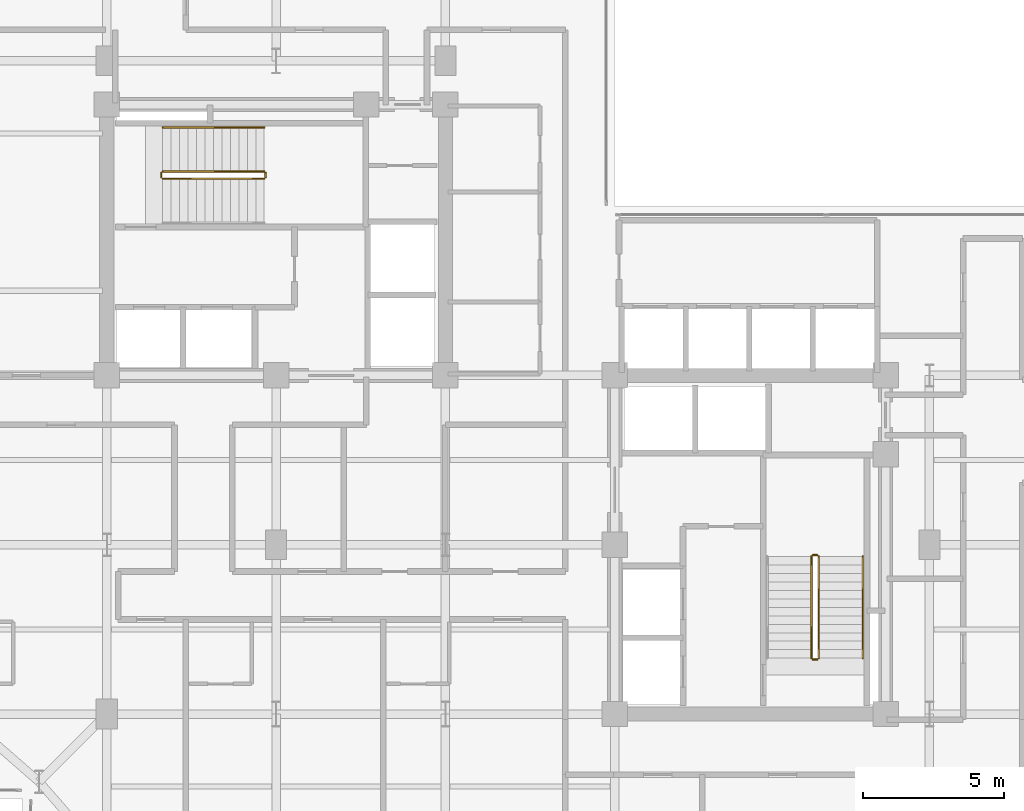
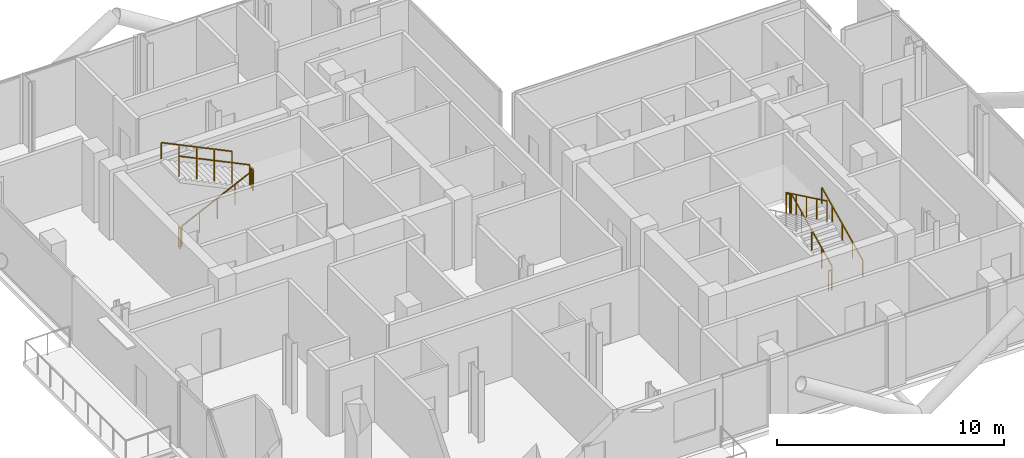
# One storey, part 22 of 22: 10 railings.
"""IFC4 building model written with IfcOpenShell, lengths in metres."""

from ifc_helpers import new_model, si_unit, direction, frame, origin, origin_2d, place, context, subcontext, project, spatial, rectangle, extrude, material, type_object, element, save


model = new_model("IFC4")

# Units and contexts
model_context = context("Model", 3, precision=1e-05, world=origin(), true_north=direction((0.0, 1.0)))
body_context = subcontext(model_context, "Body", "Model", "MODEL_VIEW")
ifc_project = project(units=[si_unit("LENGTHUNIT", "METRE"), si_unit("AREAUNIT", "SQUARE_METRE"), si_unit("VOLUMEUNIT", "CUBIC_METRE"), si_unit("PLANEANGLEUNIT", "RADIAN"), si_unit("MASSUNIT", "GRAM", prefix="KILO"), si_unit("THERMODYNAMICTEMPERATUREUNIT", "KELVIN"), si_unit("POWERUNIT", "WATT")], contexts=[model_context])

# Site, building, storey
site_placement = place(None, origin())
site = spatial("IfcSite", under=ifc_project, at=site_placement, CompositionType="ELEMENT")
building_placement = place(site_placement, origin())
building = spatial("IfcBuilding", under=site, at=building_placement, Name="Svarakhadi Broadcast Tower", CompositionType="ELEMENT")
storey_placement = place(building_placement, frame((0.0, 0.0, 172.949951171875)))
storey = spatial("IfcBuildingStorey", under=building, at=storey_placement, Name="L42", CompositionType="ELEMENT", Elevation=172.949951171875)

# Railings
ifc_material = material(Name="Anodised Bronze Aluminium AA 6063-T6", Category="aluminium")
railing_type_1 = type_object("IfcRailingType", Name="Guard_Stair_GR01", PredefinedType="GUARDRAIL", material=ifc_material)
railing_1_placement = place(storey_placement, frame((7.97998046875, 24.969970703125, 0.144287109375)))
element("IfcRailing", 1, at=railing_1_placement, inside=storey, type_object=railing_type_1, Name="L42 ST-01 stair guard 1", PredefinedType="GUARDRAIL", context=body_context, shape_type="SweptSolid", body=[
    extrude(rectangle(XDim=0.048095703125, YDim=0.048095703125, at=origin_2d()), frame((0.0, 0.0, 1.09619140625), z_axis=(0.901262522062, 0.0, 0.433273431364), x_axis=(0.0, 1.0, 0.0)), (0.0, 0.0, 1.0), 3.994384765625),
    extrude(rectangle(XDim=0.0419921875, YDim=0.0419921875, at=origin_2d()), origin(), (0.0, 0.0, 1.0), 1.072021484375),
    extrude(rectangle(XDim=0.0419921875, YDim=0.0419921875, at=origin_2d()), frame((0.89990234375, 0.0, 0.4326171875)), (0.0, 0.0, 1.0), 1.072021484375),
    extrude(rectangle(XDim=0.0419921875, YDim=0.0419921875, at=origin_2d()), frame((1.800048828125, 0.0, 0.865234375)), (0.0, 0.0, 1.0), 1.072021484375),
    extrude(rectangle(XDim=0.0419921875, YDim=0.0419921875, at=origin_2d()), frame((2.7001953125, 0.0, 1.298095703125)), (0.0, 0.0, 1.0), 1.072021484375),
    extrude(rectangle(XDim=0.0419921875, YDim=0.0419921875, at=origin_2d()), frame((3.60009765625, 0.0, 1.730712890625)), (0.0, 0.0, 1.0), 1.072021484375),
])
railing_2_placement = place(storey_placement, frame((11.6298828125, 25.02001953125, 1.875)))
element("IfcRailing", 2, at=railing_2_placement, inside=storey, type_object=railing_type_1, Name="L42 ST-01 stair guard 2", PredefinedType="GUARDRAIL", context=body_context, shape_type="SweptSolid", body=[
    extrude(rectangle(XDim=0.048095703125, YDim=0.048095703125, at=origin_2d()), frame((0.0, 0.0, 1.09619140625), z_axis=(0.0, 1.0, 0.0), x_axis=(-1.0, 0.0, 0.0)), (0.0, 0.0, 1.0), 0.159912109375),
    extrude(rectangle(XDim=0.0419921875, YDim=0.0419921875, at=origin_2d()), origin(), (0.0, 0.0, 1.0), 1.072021484375),
    extrude(rectangle(XDim=0.0419921875, YDim=0.0419921875, at=origin_2d()), frame((0.0, 0.159912109375, 0.0)), (0.0, 0.0, 1.0), 1.072021484375),
])
railing_3_placement = place(storey_placement, frame((11.580078125, 25.22998046875, 2.019287109375)))
element("IfcRailing", 3, at=railing_3_placement, inside=storey, type_object=railing_type_1, Name="L42 ST-01 stair guard 3", PredefinedType="GUARDRAIL", context=body_context, shape_type="SweptSolid", body=[
    extrude(rectangle(XDim=0.048095703125, YDim=0.048095703125, at=origin_2d()), frame((0.0, 0.0, 1.09619140625), z_axis=(-0.901262522062, 0.0, 0.433273431364), x_axis=(0.0, -1.0, 0.0)), (0.0, 0.0, 1.0), 3.994384765625),
    extrude(rectangle(XDim=0.0419921875, YDim=0.0419921875, at=origin_2d()), origin(), (0.0, 0.0, 1.0), 1.072021484375),
    extrude(rectangle(XDim=0.0419921875, YDim=0.0419921875, at=origin_2d()), frame((-0.89990234375, 0.0, 0.4326171875)), (0.0, 0.0, 1.0), 1.072021484375),
    extrude(rectangle(XDim=0.0419921875, YDim=0.0419921875, at=origin_2d()), frame((-1.800048828125, 0.0, 0.865234375)), (0.0, 0.0, 1.0), 1.072021484375),
    extrude(rectangle(XDim=0.0419921875, YDim=0.0419921875, at=origin_2d()), frame((-2.7001953125, 0.0, 1.298095703125)), (0.0, 0.0, 1.0), 1.072021484375),
    extrude(rectangle(XDim=0.0419921875, YDim=0.0419921875, at=origin_2d()), frame((-3.60009765625, 0.0, 1.730712890625)), (0.0, 0.0, 1.0), 1.072021484375),
])
railing_4_placement = place(storey_placement, frame((7.929931640625, 25.02001953125, 0.0)))
element("IfcRailing", 4, at=railing_4_placement, inside=storey, type_object=railing_type_1, Name="L42 ST-01 stair guard 4", PredefinedType="GUARDRAIL", context=body_context, shape_type="SweptSolid", body=[
    extrude(rectangle(XDim=0.048095703125, YDim=0.048095703125, at=origin_2d()), frame((0.0, 0.0, 1.09619140625), z_axis=(0.0, 1.0, 0.0), x_axis=(-1.0, 0.0, 0.0)), (0.0, 0.0, 1.0), 0.159912109375),
    extrude(rectangle(XDim=0.0419921875, YDim=0.0419921875, at=origin_2d()), origin(), (0.0, 0.0, 1.0), 1.072021484375),
    extrude(rectangle(XDim=0.0419921875, YDim=0.0419921875, at=origin_2d()), frame((0.0, 0.159912109375, 0.0)), (0.0, 0.0, 1.0), 1.072021484375),
])
railing_5_placement = place(storey_placement, frame((31.22998046875, 7.97998046875, 0.144287109375)))
element("IfcRailing", 5, at=railing_5_placement, inside=storey, type_object=railing_type_1, Name="L42 ST-02 stair guard 1", PredefinedType="GUARDRAIL", context=body_context, shape_type="SweptSolid", body=[
    extrude(rectangle(XDim=0.048095703125, YDim=0.048095703125, at=origin_2d()), frame((0.0, 0.0, 1.09619140625), z_axis=(0.0, 0.901262522062, 0.433273431364), x_axis=(-1.0, 0.0, 0.0)), (0.0, 0.0, 1.0), 3.994384765625),
    extrude(rectangle(XDim=0.0419921875, YDim=0.0419921875, at=origin_2d()), origin(), (0.0, 0.0, 1.0), 1.072021484375),
    extrude(rectangle(XDim=0.0419921875, YDim=0.0419921875, at=origin_2d()), frame((0.0, 0.89990234375, 0.4326171875)), (0.0, 0.0, 1.0), 1.072021484375),
    extrude(rectangle(XDim=0.0419921875, YDim=0.0419921875, at=origin_2d()), frame((0.0, 1.800048828125, 0.865234375)), (0.0, 0.0, 1.0), 1.072021484375),
    extrude(rectangle(XDim=0.0419921875, YDim=0.0419921875, at=origin_2d()), frame((0.0, 2.7001953125, 1.298095703125)), (0.0, 0.0, 1.0), 1.072021484375),
    extrude(rectangle(XDim=0.0419921875, YDim=0.0419921875, at=origin_2d()), frame((0.0, 3.60009765625, 1.730712890625)), (0.0, 0.0, 1.0), 1.072021484375),
])
railing_6_placement = place(storey_placement, frame((31.179931640625, 11.6298828125, 1.875)))
element("IfcRailing", 6, at=railing_6_placement, inside=storey, type_object=railing_type_1, Name="L42 ST-02 stair guard 2", PredefinedType="GUARDRAIL", context=body_context, shape_type="SweptSolid", body=[
    extrude(rectangle(XDim=0.048095703125, YDim=0.048095703125, at=origin_2d()), frame((0.0, 0.0, 1.09619140625), z_axis=(-1.0, 0.0, 0.0), x_axis=(0.0, -1.0, 0.0)), (0.0, 0.0, 1.0), 0.159912109375),
    extrude(rectangle(XDim=0.0419921875, YDim=0.0419921875, at=origin_2d()), origin(), (0.0, 0.0, 1.0), 1.072021484375),
    extrude(rectangle(XDim=0.0419921875, YDim=0.0419921875, at=origin_2d()), frame((-0.159912109375, 0.0, 0.0)), (0.0, 0.0, 1.0), 1.072021484375),
])
railing_7_placement = place(storey_placement, frame((30.969970703125, 11.580078125, 2.019287109375)))
element("IfcRailing", 7, at=railing_7_placement, inside=storey, type_object=railing_type_1, Name="L42 ST-02 stair guard 3", PredefinedType="GUARDRAIL", context=body_context, shape_type="SweptSolid", body=[
    extrude(rectangle(XDim=0.048095703125, YDim=0.048095703125, at=origin_2d()), frame((0.0, 0.0, 1.09619140625), z_axis=(0.0, -0.901262522062, 0.433273431364), x_axis=(1.0, 0.0, 0.0)), (0.0, 0.0, 1.0), 3.994384765625),
    extrude(rectangle(XDim=0.0419921875, YDim=0.0419921875, at=origin_2d()), origin(), (0.0, 0.0, 1.0), 1.072021484375),
    extrude(rectangle(XDim=0.0419921875, YDim=0.0419921875, at=origin_2d()), frame((0.0, -0.89990234375, 0.4326171875)), (0.0, 0.0, 1.0), 1.072021484375),
    extrude(rectangle(XDim=0.0419921875, YDim=0.0419921875, at=origin_2d()), frame((0.0, -1.800048828125, 0.865234375)), (0.0, 0.0, 1.0), 1.072021484375),
    extrude(rectangle(XDim=0.0419921875, YDim=0.0419921875, at=origin_2d()), frame((0.0, -2.7001953125, 1.298095703125)), (0.0, 0.0, 1.0), 1.072021484375),
    extrude(rectangle(XDim=0.0419921875, YDim=0.0419921875, at=origin_2d()), frame((0.0, -3.60009765625, 1.730712890625)), (0.0, 0.0, 1.0), 1.072021484375),
])
railing_8_placement = place(storey_placement, frame((31.179931640625, 7.929931640625, 0.0)))
element("IfcRailing", 8, at=railing_8_placement, inside=storey, type_object=railing_type_1, Name="L42 ST-02 stair guard 4", PredefinedType="GUARDRAIL", context=body_context, shape_type="SweptSolid", body=[
    extrude(rectangle(XDim=0.048095703125, YDim=0.048095703125, at=origin_2d()), frame((0.0, 0.0, 1.09619140625), z_axis=(-1.0, 0.0, 0.0), x_axis=(0.0, -1.0, 0.0)), (0.0, 0.0, 1.0), 0.159912109375),
    extrude(rectangle(XDim=0.0419921875, YDim=0.0419921875, at=origin_2d()), origin(), (0.0, 0.0, 1.0), 1.072021484375),
    extrude(rectangle(XDim=0.0419921875, YDim=0.0419921875, at=origin_2d()), frame((-0.159912109375, 0.0, 0.0)), (0.0, 0.0, 1.0), 1.072021484375),
])
railing_type_2 = type_object("IfcRailingType", Name="Handrail_Stair_HR01", PredefinedType="HANDRAIL", material=ifc_material)
railing_9_placement = place(storey_placement, frame((11.580078125, 26.7900390625, 2.019287109375)))
element("IfcRailing", 9, at=railing_9_placement, inside=storey, type_object=railing_type_2, Name="L42 ST-01 stair handrail 2", PredefinedType="HANDRAIL", context=body_context, shape_type="SweptSolid", body=[
    extrude(rectangle(XDim=0.048095703125, YDim=0.048095703125, at=origin_2d()), frame((0.0, 0.0, 0.8759765625), z_axis=(-0.901262522062, 0.0, 0.433273431364), x_axis=(0.0, -1.0, 0.0)), (0.0, 0.0, 1.0), 3.994384765625),
    extrude(rectangle(XDim=0.0419921875, YDim=0.0419921875, at=origin_2d()), origin(), (0.0, 0.0, 1.0), 0.851806640625),
    extrude(rectangle(XDim=0.0419921875, YDim=0.0419921875, at=origin_2d()), frame((-0.89990234375, 0.0, 0.4326171875)), (0.0, 0.0, 1.0), 0.851806640625),
    extrude(rectangle(XDim=0.0419921875, YDim=0.0419921875, at=origin_2d()), frame((-1.800048828125, 0.0, 0.865234375)), (0.0, 0.0, 1.0), 0.851806640625),
    extrude(rectangle(XDim=0.0419921875, YDim=0.0419921875, at=origin_2d()), frame((-2.7001953125, 0.0, 1.298095703125)), (0.0, 0.0, 1.0), 0.851806640625),
    extrude(rectangle(XDim=0.0419921875, YDim=0.0419921875, at=origin_2d()), frame((-3.60009765625, 0.0, 1.730712890625)), (0.0, 0.0, 1.0), 0.851806640625),
])
railing_10_placement = place(storey_placement, frame((32.7900390625, 7.97998046875, 0.144287109375)))
element("IfcRailing", 10, at=railing_10_placement, inside=storey, type_object=railing_type_2, Name="L42 ST-02 stair handrail 1", PredefinedType="HANDRAIL", context=body_context, shape_type="SweptSolid", body=[
    extrude(rectangle(XDim=0.048095703125, YDim=0.048095703125, at=origin_2d()), frame((0.0, 0.0, 0.8759765625), z_axis=(0.0, 0.901262522062, 0.433273431364), x_axis=(-1.0, 0.0, 0.0)), (0.0, 0.0, 1.0), 3.994384765625),
    extrude(rectangle(XDim=0.0419921875, YDim=0.0419921875, at=origin_2d()), origin(), (0.0, 0.0, 1.0), 0.851806640625),
    extrude(rectangle(XDim=0.0419921875, YDim=0.0419921875, at=origin_2d()), frame((0.0, 0.89990234375, 0.4326171875)), (0.0, 0.0, 1.0), 0.851806640625),
    extrude(rectangle(XDim=0.0419921875, YDim=0.0419921875, at=origin_2d()), frame((0.0, 1.800048828125, 0.865234375)), (0.0, 0.0, 1.0), 0.851806640625),
    extrude(rectangle(XDim=0.0419921875, YDim=0.0419921875, at=origin_2d()), frame((0.0, 2.7001953125, 1.298095703125)), (0.0, 0.0, 1.0), 0.851806640625),
    extrude(rectangle(XDim=0.0419921875, YDim=0.0419921875, at=origin_2d()), frame((0.0, 3.60009765625, 1.730712890625)), (0.0, 0.0, 1.0), 0.851806640625),
])

save(model, "model.ifc")
